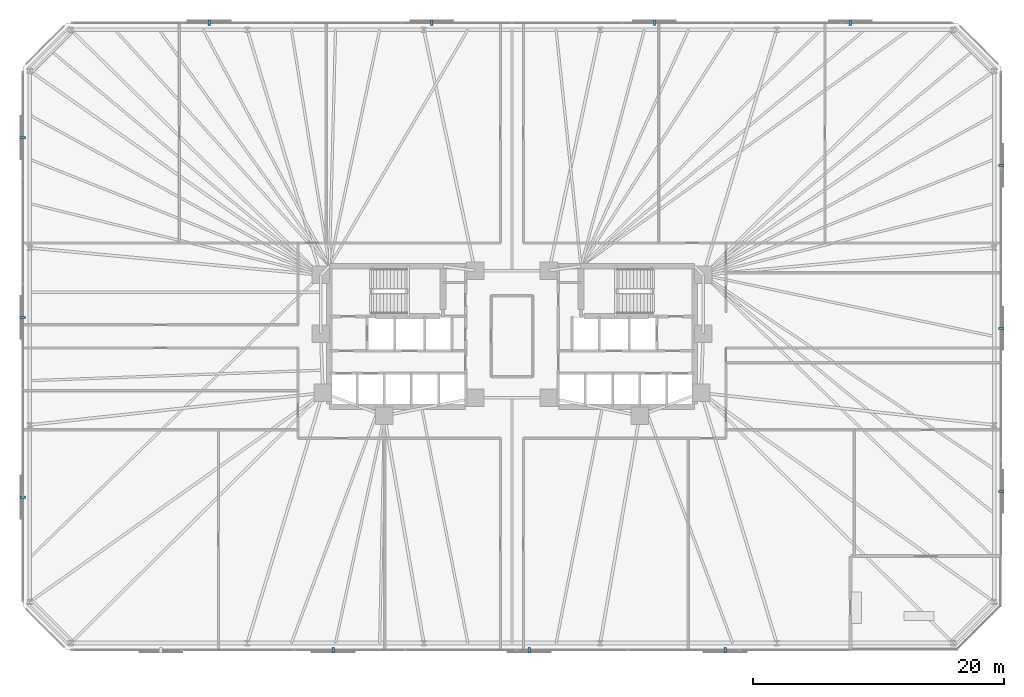
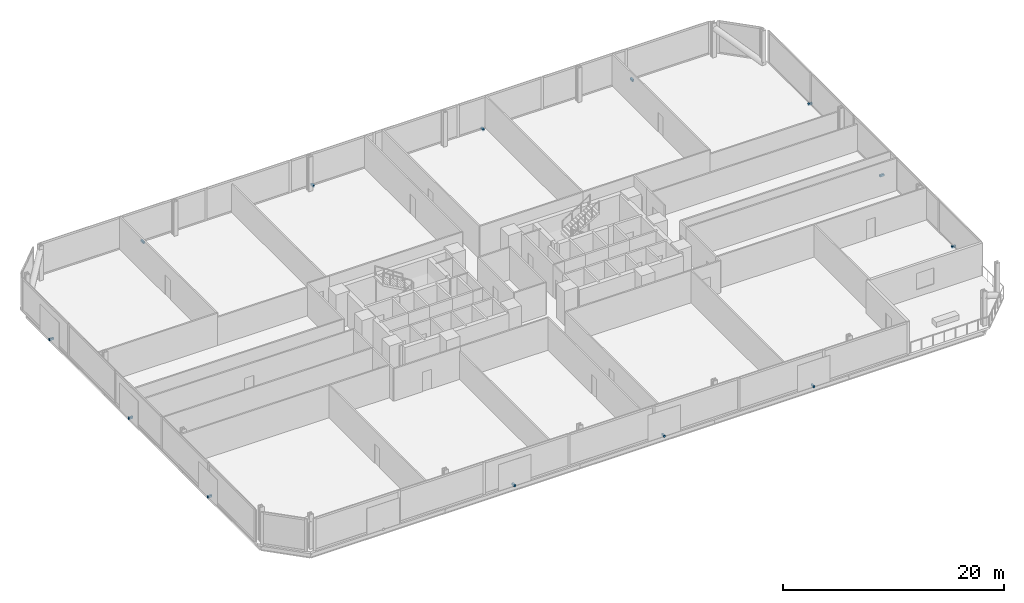
# One storey, part 16 of 17: 13 discrete accessories.
"""IFC4 building model written with IfcOpenShell, lengths in metres."""

from ifc_helpers import new_model, si_unit, direction, frame, origin, origin_2d, place, context, subcontext, project, spatial, rectangle, extrude, material, type_object, element, save


model = new_model("IFC4")

# Units and contexts
model_context = context("Model", 3, precision=1e-05, world=origin(), true_north=direction((0.0, 1.0)))
body_context = subcontext(model_context, "Body", "Model", "MODEL_VIEW")
ifc_project = project(units=[si_unit("LENGTHUNIT", "METRE"), si_unit("AREAUNIT", "SQUARE_METRE"), si_unit("VOLUMEUNIT", "CUBIC_METRE"), si_unit("PLANEANGLEUNIT", "RADIAN"), si_unit("MASSUNIT", "GRAM", prefix="KILO")], contexts=[model_context])

# Site, building, storey
site_placement = place(None, origin())
site = spatial("IfcSite", under=ifc_project, at=site_placement, CompositionType="ELEMENT")
building_placement = place(site_placement, origin())
building = spatial("IfcBuilding", under=site, at=building_placement, Name="Menara Jurai Vektor", CompositionType="ELEMENT")
storey_placement = place(building_placement, frame((0.0, 0.0, 44.60009765625)))
storey = spatial("IfcBuildingStorey", under=building, at=storey_placement, Name="L10", CompositionType="ELEMENT", Elevation=44.60009765625)

# Discrete accessories
ifc_material = material(Name="Steel S355", Category="steel")
discrete_accessory_type = type_object("IfcDiscreteAccessoryType", Name="ENV-ACC-BRACKET", PredefinedType="BRACKET", material=ifc_material)
for number, where, z_axis, x_axis, name in (
    (1, (39.010009765625, -12.364990234375, -0.1298828125), (0.0, 0.0, 1.0), (0.0, 1.0, 0.0), "Solar Screen Stand-Off Bracket L10-S01"),
    (2, (39.010009765625, 0.635009765625, -0.1298828125), (0.0, 0.0, 1.0), (0.0, 1.0, 0.0), "Solar Screen Stand-Off Bracket L10-S02"),
    (3, (39.010009765625, 13.635009765625, -0.1298828125), (0.0, 0.0, 1.0), (0.0, 1.0, 0.0), "Solar Screen Stand-Off Bracket L10-S03"),
    (4, (26.97998046875, 25.010009765625, -0.1298828125), (0.0, 0.0, 1.0), (-1.0, 0.0, 0.0), "Solar Screen Stand-Off Bracket L10-S04"),
    (5, (11.360107421875, 25.010009765625, -0.1298828125), (0.0, 0.0, 1.0), (-1.0, 0.0, 0.0), "Solar Screen Stand-Off Bracket L10-S05"),
    (6, (-6.389892578125, 25.010009765625, -0.1298828125), (0.0, 0.0, 1.0), (-1.0, 0.0, 0.0), "Solar Screen Stand-Off Bracket L10-S06"),
    (7, (-24.139892578125, 25.010009765625, -0.1298828125), (0.0, 0.0, 1.0), (-1.0, 0.0, 0.0), "Solar Screen Stand-Off Bracket L10-S07"),
    (8, (-39.010009765625, 15.83837890625, -0.1298828125), (0.0, 0.0, 1.0), (0.0, -1.0, 0.0), "Solar Screen Stand-Off Bracket L10-S08"),
    (9, (-39.010009765625, 1.5048828125, -0.1298828125), (0.0, 0.0, 1.0), (0.0, -1.0, 0.0), "Solar Screen Stand-Off Bracket L10-S09"),
    (10, (-39.010009765625, -12.828369140625, -0.1298828125), (0.0, 0.0, 1.0), (0.0, -1.0, 0.0), "Solar Screen Stand-Off Bracket L10-S10"),
    (11, (-14.25, -25.010009765625, -0.1298828125), (0.0, 0.0, 1.0), (1.0, 0.0, 0.0), "Solar Screen Stand-Off Bracket L10-S12"),
    (12, (1.375, -25.010009765625, -0.1298828125), (0.0, 0.0, 1.0), (1.0, 0.0, 0.0), "Solar Screen Stand-Off Bracket L10-S13"),
    (13, (17.0, -25.010009765625, -0.1298828125), (0.0, 0.0, 1.0), (1.0, 0.0, 0.0), "Solar Screen Stand-Off Bracket L10-S14"),
):
    element("IfcDiscreteAccessory", number, at=place(storey_placement, frame(where, z_axis=z_axis, x_axis=x_axis)), inside=storey, type_object=discrete_accessory_type, Name=name, PredefinedType="BRACKET", context=body_context, shape_type="SweptSolid", body=[
        extrude(rectangle(XDim=0.179931640625, YDim=0.43994140625, at=origin_2d()), origin(), (0.0, 0.0, 1.0), 0.219970703125),
    ])

save(model, "model.ifc")
